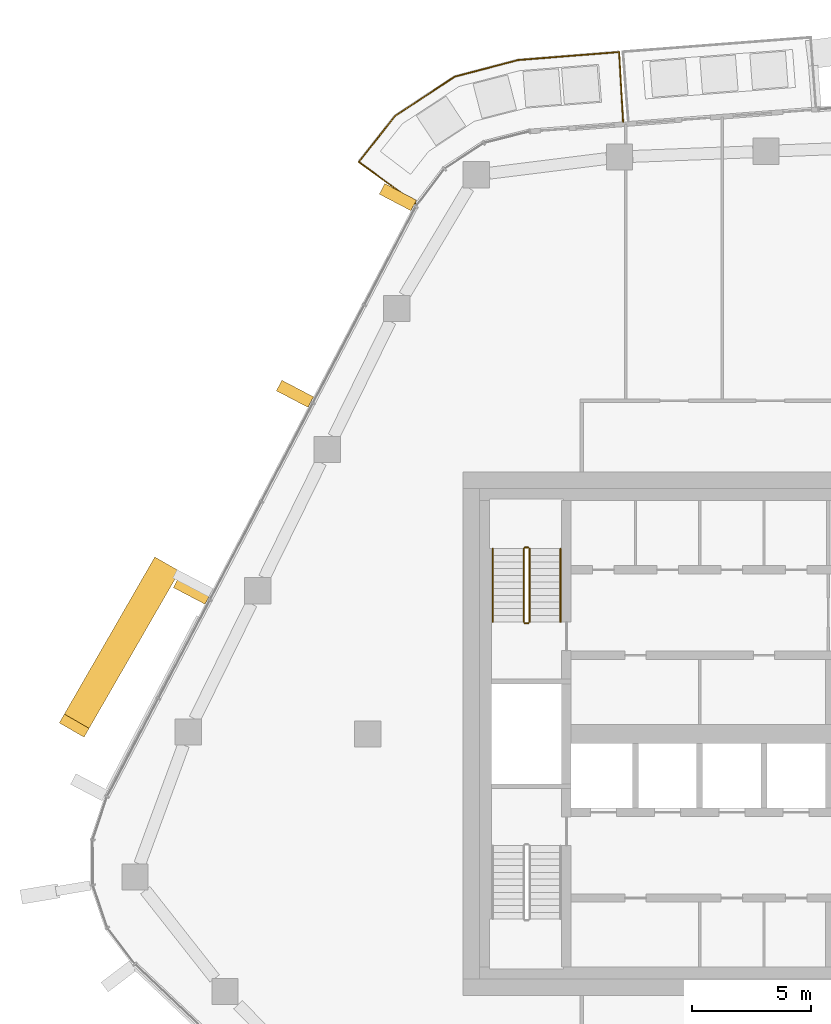
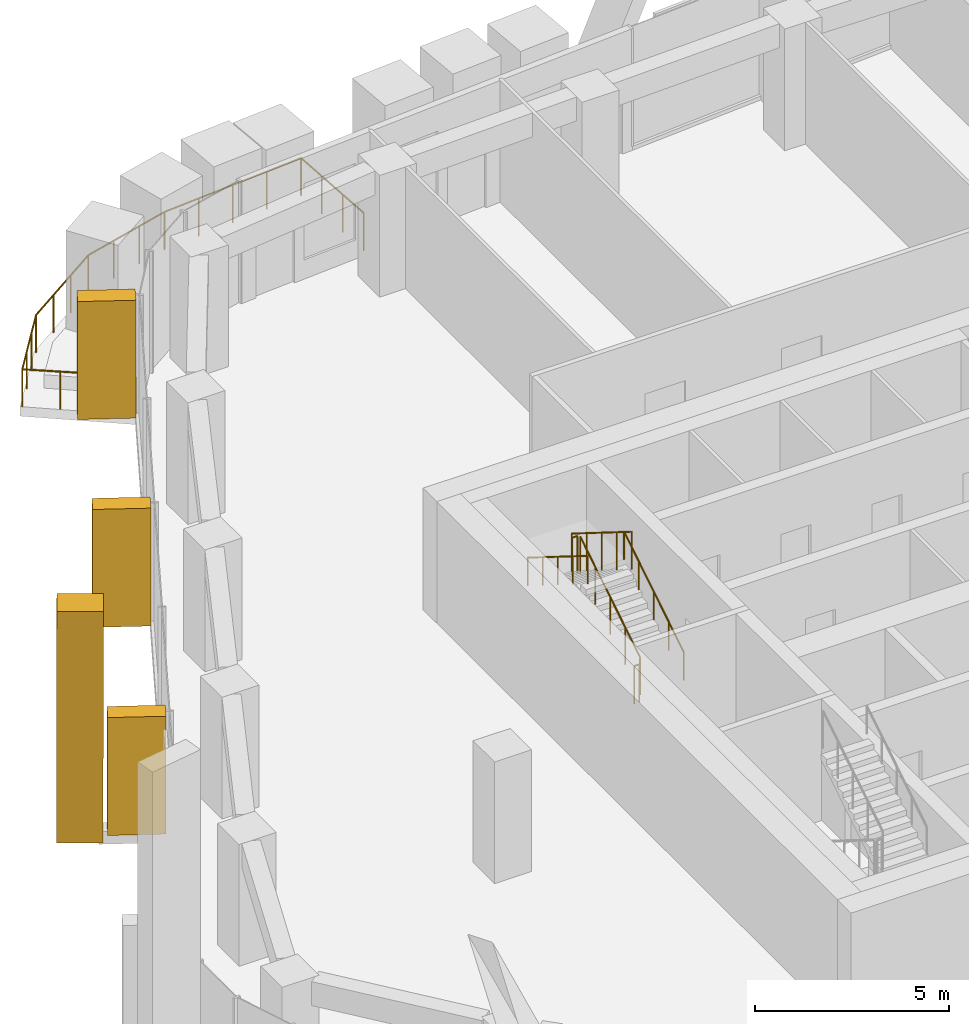
# One storey, part 18 of 20: 7 railings, 4 coverings, 1 element without a shape of its own.
"""IFC4 building model written with IfcOpenShell, lengths in metres."""

from ifc_helpers import new_model, si_unit, direction, frame, origin, origin_2d, place, context, subcontext, project, spatial, rectangle, circle, extrude, material, layer, layer_set, material_profile, profile_set, type_object, element, aggregate, save


model = new_model("IFC4")

# Units and contexts
model_context = context("Model", 3, precision=1e-05, world=origin(), true_north=direction((0.0, 1.0)))
body_context = subcontext(model_context, "Body", "Model", "MODEL_VIEW")
ifc_project = project(units=[si_unit("LENGTHUNIT", "METRE"), si_unit("AREAUNIT", "SQUARE_METRE"), si_unit("VOLUMEUNIT", "CUBIC_METRE"), si_unit("PLANEANGLEUNIT", "RADIAN"), si_unit("MASSUNIT", "GRAM", prefix="KILO")], contexts=[model_context])

# Site, building, storey
site_placement = place(None, origin())
site = spatial("IfcSite", under=ifc_project, at=site_placement, CompositionType="ELEMENT")
building_placement = place(site_placement, origin())
building = spatial("IfcBuilding", under=site, at=building_placement, Name="Dongbaek Canopy Tower", CompositionType="ELEMENT")
storey_placement = place(building_placement, frame((0.0, 0.0, 241.199951171875)))
storey = spatial("IfcBuildingStorey", under=building, at=storey_placement, Name="L50", CompositionType="ELEMENT", Elevation=241.199951171875)

# Railing
ifc_material_1 = material(Name="Stainless steel", Category="steel")
railing_type_1 = type_object("IfcRailingType", Name="Balcony balustrade 1200", PredefinedType="BALUSTRADE", material=ifc_material_1)
railing_1_placement = place(storey_placement, frame((-7.270263671875, 25.71484375, 0.0)))
element("IfcRailing", 1, at=railing_1_placement, inside=storey, type_object=railing_type_1, Name="Balcony guard L50 7", PredefinedType="BALUSTRADE", context=body_context, shape_type="SweptSolid", body=[
    extrude(circle(Radius=0.02392578125, at=origin_2d()), frame((0.0, 0.0, 1.17578125), z_axis=(-0.056205704733, 0.998419209929, 0.0), x_axis=(-0.998419209929, -0.056205704733, 0.0)), (0.0, 0.0, 1.0), 2.940673828125),
    extrude(circle(Radius=0.02392578125, at=origin_2d()), frame((-0.165283203125, 2.93603515625, 1.17578125), z_axis=(-0.996874429289, -0.079002355852, 0.0), x_axis=(0.079002355852, -0.996874429289, 0.0)), (0.0, 0.0, 1.0), 4.258544921875),
    extrude(circle(Radius=0.02392578125, at=origin_2d()), frame((-4.410400390625, 2.599609375, 1.17578125), z_axis=(-0.967257881136, -0.253795570057, 0.0), x_axis=(0.253795570057, -0.967257881136, 0.0)), (0.0, 0.0, 1.0), 2.756103515625),
    extrude(circle(Radius=0.02392578125, at=origin_2d()), frame((-7.076171875, 1.900146484375, 1.17578125), z_axis=(-0.835028692723, -0.550206399754, 0.0), x_axis=(0.550206399754, -0.835028692723, 0.0)), (0.0, 0.0, 1.0), 3.001708984375),
    extrude(circle(Radius=0.02392578125, at=origin_2d()), frame((-9.582763671875, 0.24853515625, 1.17578125), z_axis=(-0.619206343343, -0.785228313527, 0.0), x_axis=(0.785228313527, -0.619206343343, 0.0)), (0.0, 0.0, 1.0), 2.458740234375),
    extrude(circle(Radius=0.02392578125, at=origin_2d()), frame((-11.105224609375, -1.68212890625, 1.17578125), z_axis=(0.807841164068, -0.589400249098, 0.0), x_axis=(0.589400249098, 0.807841164068, 0.0)), (0.0, 0.0, 1.0), 2.9404296875),
    extrude(circle(Radius=0.02099609375, at=origin_2d()), origin(), (0.0, 0.0, 1.0), 1.15185546875),
    extrude(circle(Radius=0.02099609375, at=origin_2d()), frame((-0.05517578125, 0.978759765625, 0.0)), (0.0, 0.0, 1.0), 1.15185546875),
    extrude(circle(Radius=0.02099609375, at=origin_2d()), frame((-0.110107421875, 1.957275390625, 0.0)), (0.0, 0.0, 1.0), 1.15185546875),
    extrude(circle(Radius=0.02099609375, at=origin_2d()), frame((-0.165283203125, 2.93603515625, 0.0)), (0.0, 0.0, 1.0), 1.15185546875),
    extrude(circle(Radius=0.02099609375, at=origin_2d()), frame((-1.2265625, 2.85205078125, 0.0)), (0.0, 0.0, 1.0), 1.15185546875),
    extrude(circle(Radius=0.02099609375, at=origin_2d()), frame((-2.287841796875, 2.767822265625, 0.0)), (0.0, 0.0, 1.0), 1.15185546875),
    extrude(circle(Radius=0.02099609375, at=origin_2d()), frame((-3.34912109375, 2.68359375, 0.0)), (0.0, 0.0, 1.0), 1.15185546875),
    extrude(circle(Radius=0.02099609375, at=origin_2d()), frame((-4.410400390625, 2.599609375, 0.0)), (0.0, 0.0, 1.0), 1.15185546875),
    extrude(circle(Radius=0.02099609375, at=origin_2d()), frame((-5.299072265625, 2.366455078125, 0.0)), (0.0, 0.0, 1.0), 1.15185546875),
    extrude(circle(Radius=0.02099609375, at=origin_2d()), frame((-6.1875, 2.13330078125, 0.0)), (0.0, 0.0, 1.0), 1.15185546875),
    extrude(circle(Radius=0.02099609375, at=origin_2d()), frame((-7.076171875, 1.900146484375, 0.0)), (0.0, 0.0, 1.0), 1.15185546875),
    extrude(circle(Radius=0.02099609375, at=origin_2d()), frame((-7.91162109375, 1.349609375, 0.0)), (0.0, 0.0, 1.0), 1.15185546875),
    extrude(circle(Radius=0.02099609375, at=origin_2d()), frame((-8.747314453125, 0.799072265625, 0.0)), (0.0, 0.0, 1.0), 1.15185546875),
    extrude(circle(Radius=0.02099609375, at=origin_2d()), frame((-9.582763671875, 0.24853515625, 0.0)), (0.0, 0.0, 1.0), 1.15185546875),
    extrude(circle(Radius=0.02099609375, at=origin_2d()), frame((-10.09033203125, -0.39501953125, 0.0)), (0.0, 0.0, 1.0), 1.15185546875),
    extrude(circle(Radius=0.02099609375, at=origin_2d()), frame((-10.59765625, -1.03857421875, 0.0)), (0.0, 0.0, 1.0), 1.15185546875),
    extrude(circle(Radius=0.02099609375, at=origin_2d()), frame((-11.105224609375, -1.68212890625, 0.0)), (0.0, 0.0, 1.0), 1.15185546875),
    extrude(circle(Radius=0.02099609375, at=origin_2d()), frame((-10.3134765625, -2.259765625, 0.0)), (0.0, 0.0, 1.0), 1.15185546875),
    extrude(circle(Radius=0.02099609375, at=origin_2d()), frame((-9.521484375, -2.837646484375, 0.0)), (0.0, 0.0, 1.0), 1.15185546875),
    extrude(circle(Radius=0.02099609375, at=origin_2d()), frame((-8.729736328125, -3.415283203125, 0.0)), (0.0, 0.0, 1.0), 1.15185546875),
])

# Curtain wall, coverings
ifc_material_2 = material(Name="Aluminium 6063-T6 pale anodised", Category="aluminium")
ifc_layer = layer(ifc_material_2, 0.199951171875)
ifc_layer_set = layer_set([ifc_layer], Name="CW-1 unitised tower curtain wall")
curtain_wall_type = type_object("IfcCurtainWallType", Name="CW-1 unitised tower curtain wall", PredefinedType="NOTDEFINED", material=ifc_layer_set)
curtain_wall_placement = place(storey_placement, origin())
curtain_wall = element("IfcCurtainWall", 2, at=curtain_wall_placement, inside=storey, type_object=curtain_wall_type, Name="CW-1 curtain wall F2.1", PredefinedType="NOTDEFINED")
ifc_material_3 = material(Name="Aluminium 6063-T6 pale metal fin", Category="aluminium")
ifc_material_profile_1 = material_profile(ifc_material_3, rectangle(XDim=1.199951171875, YDim=0.5, at=origin_2d()), Name="Crease fin CF1 500 x 1200 pale metal")
ifc_profile_set_1 = profile_set([ifc_material_profile_1], Name="Aluminium 6063-T6 pale metal fin")
covering_type_1 = type_object("IfcCoveringType", Name="Crease fin CF1 500 x 1200 pale metal", PredefinedType="CLADDING", material=ifc_profile_set_1)
covering_1_placement = place(storey_placement, frame((-26.533447265625, 6.947509765625, -0.18994140625), z_axis=(-0.258241930032, -0.448387577133, 0.855721734121), x_axis=(0.866556107834, -0.49907966496, 0.0)))
covering_1 = element("IfcCovering", 3, at=covering_1_placement, type_object=covering_type_1, Name="Crease fin L50 L53 F2", PredefinedType="CLADDING", context=body_context, shape_type="SweptSolid", body=[
    extrude(rectangle(XDim=1.199951171875, YDim=0.5, at=origin_2d()), origin(), (0.0, 0.0, 1.0), 14.724609375),
])
ifc_material_4 = material(Name="Aluminium 6063-T6 pale metal fin", Category="aluminium")
ifc_material_profile_2 = material_profile(ifc_material_4, rectangle(XDim=1.5, YDim=0.5, at=origin_2d()), Name="Fin FN1 500 x 1500 pale metal")
ifc_profile_set_2 = profile_set([ifc_material_profile_2], Name="Aluminium 6063-T6 pale metal fin")
covering_type_2 = type_object("IfcCoveringType", Name="Fin FN1 500 x 1500 pale metal", PredefinedType="CLADDING", material=ifc_profile_set_2)
covering_2_placement = place(storey_placement, frame((-16.735107421875, 22.55224609375, 0.1201171875), z_axis=(0.0, 0.0, 1.0), x_axis=(-0.886019109709, 0.463648721803, 0.0)))
covering_2 = element("IfcCovering", 4, at=covering_2_placement, type_object=covering_type_2, Name="Fin F2.1.1", PredefinedType="CLADDING", context=body_context, shape_type="SweptSolid", body=[
    extrude(rectangle(XDim=1.5, YDim=0.5, at=origin_2d()), origin(), (0.0, 0.0, 1.0), 3.699951171875),
])
covering_3_placement = place(storey_placement, frame((-21.059326171875, 14.28857421875, 0.1201171875), z_axis=(0.0, 0.0, 1.0), x_axis=(-0.886019109709, 0.463648721803, 0.0)))
covering_3 = element("IfcCovering", 5, at=covering_3_placement, type_object=covering_type_2, Name="Fin F2.1.3", PredefinedType="CLADDING", context=body_context, shape_type="SweptSolid", body=[
    extrude(rectangle(XDim=1.5, YDim=0.5, at=origin_2d()), origin(), (0.0, 0.0, 1.0), 3.699951171875),
])
covering_4_placement = place(storey_placement, frame((-25.3876953125, 6.017578125, 0.1201171875), z_axis=(0.0, 0.0, 1.0), x_axis=(-0.886019109709, 0.463648721803, 0.0)))
covering_4 = element("IfcCovering", 6, at=covering_4_placement, type_object=covering_type_2, Name="Fin F2.1.5", PredefinedType="CLADDING", context=body_context, shape_type="SweptSolid", body=[
    extrude(rectangle(XDim=1.5, YDim=0.5, at=origin_2d()), origin(), (0.0, 0.0, 1.0), 3.699951171875),
])
aggregate(curtain_wall, [covering_2, covering_3, covering_4, covering_1])

# Railings
ifc_material_5 = material(Name="Stainless steel tube and balusters", Category="steel")
railing_type_2 = type_object("IfcRailingType", Name="Stair guard 1200", PredefinedType="GUARDRAIL", material=ifc_material_5)
railing_2_placement = place(storey_placement, frame((-11.199951171875, 4.699951171875, 0.175048828125)))
element("IfcRailing", 7, at=railing_2_placement, inside=storey, type_object=railing_type_2, Name="L50 ST-C stair guard 1", PredefinedType="GUARDRAIL", context=body_context, shape_type="SweptSolid", body=[
    extrude(circle(Radius=0.02392578125, at=origin_2d()), frame((0.0, 0.0, 1.17578125), z_axis=(0.0, 0.847998304005, 0.529998940003), x_axis=(-1.0, 0.0, 0.0)), (0.0, 0.0, 1.0), 3.632080078125),
    extrude(circle(Radius=0.02099609375, at=origin_2d()), origin(), (0.0, 0.0, 1.0), 1.15185546875),
    extrude(circle(Radius=0.02099609375, at=origin_2d()), frame((0.0, 0.77001953125, 0.481201171875)), (0.0, 0.0, 1.0), 1.15185546875),
    extrude(circle(Radius=0.02099609375, at=origin_2d()), frame((0.0, 1.5400390625, 0.96240234375)), (0.0, 0.0, 1.0), 1.15185546875),
    extrude(circle(Radius=0.02099609375, at=origin_2d()), frame((0.0, 2.31005859375, 1.44384765625)), (0.0, 0.0, 1.0), 1.15185546875),
    extrude(circle(Radius=0.02099609375, at=origin_2d()), frame((0.0, 3.080078125, 1.925048828125)), (0.0, 0.0, 1.0), 1.15185546875),
])
railing_3_placement = place(storey_placement, frame((-11.25, 7.830078125, 2.10009765625)))
element("IfcRailing", 8, at=railing_3_placement, inside=storey, type_object=railing_type_2, Name="L50 ST-C stair guard 2", PredefinedType="GUARDRAIL", context=body_context, shape_type="SweptSolid", body=[
    extrude(circle(Radius=0.02392578125, at=origin_2d()), frame((0.0, 0.0, 1.17578125), z_axis=(-1.0, 0.0, 0.0), x_axis=(0.0, -1.0, 0.0)), (0.0, 0.0, 1.0), 0.14990234375),
    extrude(circle(Radius=0.02099609375, at=origin_2d()), origin(), (0.0, 0.0, 1.0), 1.15185546875),
    extrude(circle(Radius=0.02099609375, at=origin_2d()), frame((-0.14990234375, 0.0, 0.0)), (0.0, 0.0, 1.0), 1.15185546875),
])
railing_4_placement = place(storey_placement, frame((-11.449951171875, 7.780029296875, 2.275146484375)))
element("IfcRailing", 9, at=railing_4_placement, inside=storey, type_object=railing_type_2, Name="L50 ST-C stair guard 3", PredefinedType="GUARDRAIL", context=body_context, shape_type="SweptSolid", body=[
    extrude(circle(Radius=0.02392578125, at=origin_2d()), frame((0.0, 0.0, 1.17578125), z_axis=(0.0, -0.848028513186, 0.529950602248), x_axis=(1.0, 0.0, 0.0)), (0.0, 0.0, 1.0), 3.632080078125),
    extrude(circle(Radius=0.02099609375, at=origin_2d()), origin(), (0.0, 0.0, 1.0), 1.15185546875),
    extrude(circle(Radius=0.02099609375, at=origin_2d()), frame((0.0, -0.77001953125, 0.481201171875)), (0.0, 0.0, 1.0), 1.15185546875),
    extrude(circle(Radius=0.02099609375, at=origin_2d()), frame((0.0, -1.5400390625, 0.96240234375)), (0.0, 0.0, 1.0), 1.15185546875),
    extrude(circle(Radius=0.02099609375, at=origin_2d()), frame((0.0, -2.31005859375, 1.443603515625)), (0.0, 0.0, 1.0), 1.15185546875),
    extrude(circle(Radius=0.02099609375, at=origin_2d()), frame((0.0, -3.080078125, 1.9248046875)), (0.0, 0.0, 1.0), 1.15185546875),
])
railing_5_placement = place(storey_placement, frame((-11.25, 4.64990234375, 0.0)))
element("IfcRailing", 10, at=railing_5_placement, inside=storey, type_object=railing_type_2, Name="L50 ST-C stair guard 4", PredefinedType="GUARDRAIL", context=body_context, shape_type="SweptSolid", body=[
    extrude(circle(Radius=0.02392578125, at=origin_2d()), frame((0.0, 0.0, 1.17578125), z_axis=(-1.0, 0.0, 0.0), x_axis=(0.0, -1.0, 0.0)), (0.0, 0.0, 1.0), 0.14990234375),
    extrude(circle(Radius=0.02099609375, at=origin_2d()), origin(), (0.0, 0.0, 1.0), 1.15185546875),
    extrude(circle(Radius=0.02099609375, at=origin_2d()), frame((-0.14990234375, 0.0, 0.0)), (0.0, 0.0, 1.0), 1.15185546875),
])
ifc_material_6 = material(Name="Stainless steel tube", Category="steel")
railing_type_3 = type_object("IfcRailingType", Name="Stair handrail 900", PredefinedType="HANDRAIL", material=ifc_material_6)
railing_6_placement = place(storey_placement, frame((-9.89990234375, 4.699951171875, 0.175048828125)))
element("IfcRailing", 11, at=railing_6_placement, inside=storey, type_object=railing_type_3, Name="L50 ST-C stair handrail 1", PredefinedType="HANDRAIL", context=body_context, shape_type="SweptSolid", body=[
    extrude(circle(Radius=0.02392578125, at=origin_2d()), frame((0.0, 0.0, 0.8759765625), z_axis=(0.0, 0.847998304005, 0.529998940003), x_axis=(-1.0, 0.0, 0.0)), (0.0, 0.0, 1.0), 3.632080078125),
    extrude(circle(Radius=0.02099609375, at=origin_2d()), origin(), (0.0, 0.0, 1.0), 0.851806640625),
    extrude(circle(Radius=0.02099609375, at=origin_2d()), frame((0.0, 0.77001953125, 0.481201171875)), (0.0, 0.0, 1.0), 0.851806640625),
    extrude(circle(Radius=0.02099609375, at=origin_2d()), frame((0.0, 1.5400390625, 0.96240234375)), (0.0, 0.0, 1.0), 0.851806640625),
    extrude(circle(Radius=0.02099609375, at=origin_2d()), frame((0.0, 2.31005859375, 1.44384765625)), (0.0, 0.0, 1.0), 0.851806640625),
    extrude(circle(Radius=0.02099609375, at=origin_2d()), frame((0.0, 3.080078125, 1.925048828125)), (0.0, 0.0, 1.0), 0.851806640625),
])
railing_7_placement = place(storey_placement, frame((-12.75, 7.780029296875, 2.275146484375)))
element("IfcRailing", 12, at=railing_7_placement, inside=storey, type_object=railing_type_3, Name="L50 ST-C stair handrail 2", PredefinedType="HANDRAIL", context=body_context, shape_type="SweptSolid", body=[
    extrude(circle(Radius=0.02392578125, at=origin_2d()), frame((0.0, 0.0, 0.8759765625), z_axis=(0.0, -0.848028513186, 0.529950602248), x_axis=(1.0, 0.0, 0.0)), (0.0, 0.0, 1.0), 3.632080078125),
    extrude(circle(Radius=0.02099609375, at=origin_2d()), origin(), (0.0, 0.0, 1.0), 0.851806640625),
    extrude(circle(Radius=0.02099609375, at=origin_2d()), frame((0.0, -0.77001953125, 0.481201171875)), (0.0, 0.0, 1.0), 0.851806640625),
    extrude(circle(Radius=0.02099609375, at=origin_2d()), frame((0.0, -1.5400390625, 0.96240234375)), (0.0, 0.0, 1.0), 0.851806640625),
    extrude(circle(Radius=0.02099609375, at=origin_2d()), frame((0.0, -2.31005859375, 1.443603515625)), (0.0, 0.0, 1.0), 0.851806640625),
    extrude(circle(Radius=0.02099609375, at=origin_2d()), frame((0.0, -3.080078125, 1.9248046875)), (0.0, 0.0, 1.0), 0.851806640625),
])

save(model, "model.ifc")
